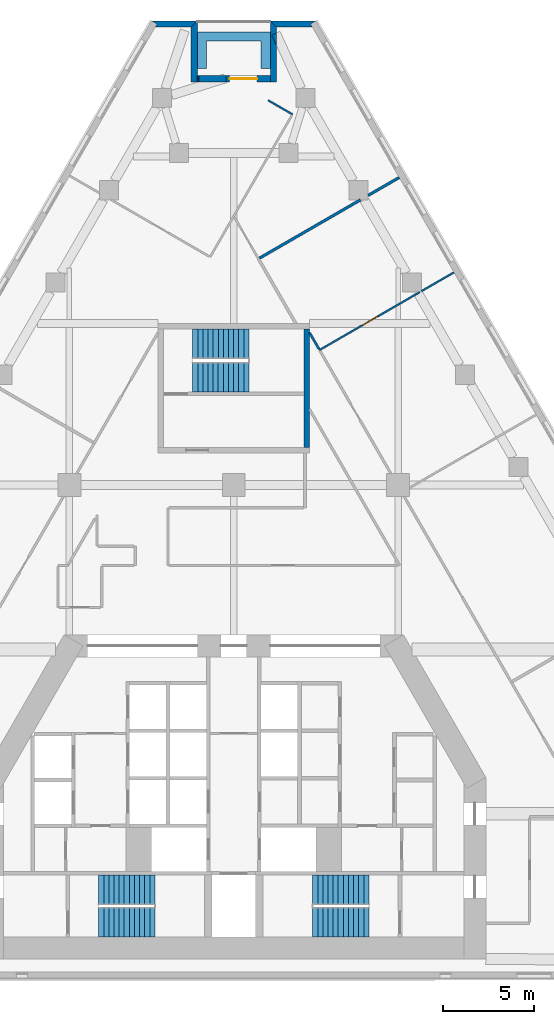
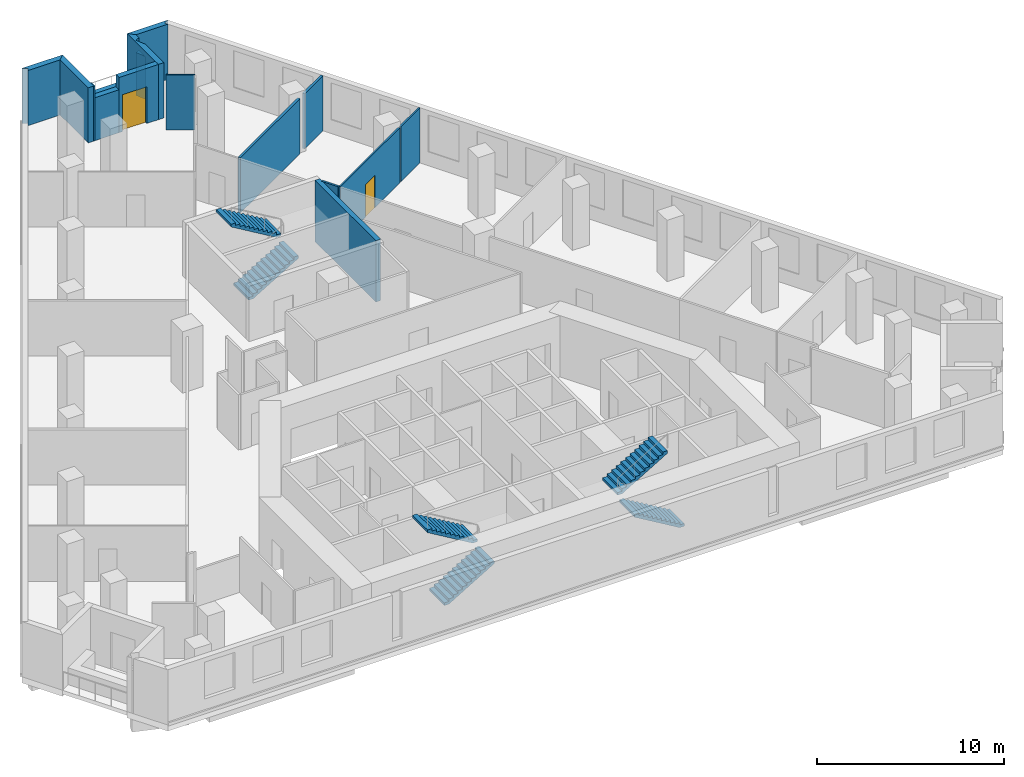
# One storey, part 9 of 10: 16 walls, 6 stair flights, 2 doors, 2 openings, 3 elements without a shape of their own.
"""IFC4 building model written with IfcOpenShell, lengths in metres."""

from ifc_helpers import new_model, si_unit, direction, frame, frame_2d, origin, place, context, subcontext, project, spatial, polyline, rectangle, outline, extrude, material, layer, layer_set, type_object, element, fill, aggregate, save


model = new_model("IFC4")

# Units and contexts
model_context = context("Model", 3, precision=1e-05, world=origin(), true_north=direction((0.0, 1.0)))
body_context = subcontext(model_context, "Body", "Model", "MODEL_VIEW")
ifc_project = project(units=[si_unit("LENGTHUNIT", "METRE"), si_unit("AREAUNIT", "SQUARE_METRE"), si_unit("VOLUMEUNIT", "CUBIC_METRE"), si_unit("PLANEANGLEUNIT", "RADIAN"), si_unit("MASSUNIT", "GRAM", prefix="KILO")], contexts=[model_context])

# Site, building, storey
site_placement = place(None, origin())
site = spatial("IfcSite", under=ifc_project, at=site_placement, CompositionType="ELEMENT")
building_placement = place(site_placement, origin())
building = spatial("IfcBuilding", under=site, at=building_placement, Name="Fogline Exchange Tower", CompositionType="ELEMENT")
storey_placement = place(building_placement, frame((0.0, 0.0, 108.10009765625)))
storey = spatial("IfcBuildingStorey", under=building, at=storey_placement, Name="L23", CompositionType="ELEMENT", Elevation=108.10009765625)

# Walls
ifc_material_1 = material(Name="Concrete C40", Category="concrete")
ifc_layer_1 = layer(ifc_material_1, 0.300048828125)
ifc_layer_set_1 = layer_set([ifc_layer_1], Name="CW30")
wall_type_1 = type_object("IfcWallType", Name="CW30", PredefinedType="SOLIDWALL", material=ifc_layer_set_1)
wall_1_placement = place(storey_placement, frame((4.0, 29.056884765625, -0.400146484375), z_axis=(0.0, 0.0, 1.0), x_axis=(0.0, 1.0, 0.0)))
element("IfcWall", 1, at=wall_1_placement, inside=storey, type_object=wall_type_1, Name="Stair enclosure wall ST3", PredefinedType="SOLIDWALL", context=body_context, shape_type="SweptSolid", body=[
    extrude(rectangle(XDim=6.5, YDim=0.300048828125, at=frame_2d((3.25, 0.0))), origin(), (0.0, 0.0, 1.0), 4.0),
])
ifc_material_2 = material(Name="Brick masonry", Category="masonry")
ifc_layer_2 = layer(ifc_material_2, 0.340087890625)
ifc_layer_set_2 = layer_set([ifc_layer_2], Name="FW1")
wall_type_2 = type_object("IfcWallType", Name="FW1", PredefinedType="SOLIDWALL", material=ifc_layer_set_2)
wall_2_placement = place(storey_placement, origin())
element("IfcWall", 2, at=wall_2_placement, inside=storey, type_object=wall_type_2, Name="Brick wall L23 N-c1", PredefinedType="SOLIDWALL", context=body_context, shape_type="SweptSolid", body=[
    extrude(outline(polyline([(1.9990234375, 52.42236328125), (4.5009765625, 52.42236328125), (4.501220703125, 52.421630859375), (4.206298828125, 52.25146484375), (4.3046875, 52.0810546875), (2.33984375, 52.0810546875), (1.998779296875, 52.421875), (1.9990234375, 52.42236328125)])), origin(), (0.0, 0.0, 1.0), 3.599853515625),
])
wall_3_placement = place(storey_placement, origin())
element("IfcWall", 3, at=wall_3_placement, inside=storey, type_object=wall_type_2, Name="Brick wall L23 N-s1", PredefinedType="SOLIDWALL", context=body_context, shape_type="SweptSolid", body=[
    extrude(outline(polyline([(2.340576171875, 51.06884765625), (2.079345703125, 51.642578125), (2.340576171875, 51.761474609375), (2.340576171875, 51.06884765625)])), origin(), (0.0, 0.0, 1.0), 2.7998046875),
])
wall_4_placement = place(storey_placement, origin())
element("IfcWall", 4, at=wall_4_placement, inside=storey, type_object=wall_type_2, Name="Brick wall L23 N-s1", PredefinedType="SOLIDWALL", context=body_context, shape_type="SweptSolid", body=[
    extrude(outline(polyline([(1.99951171875, 49.0810546875), (1.99951171875, 52.422607421875), (1.999755859375, 52.4228515625), (2.340576171875, 52.081787109375), (2.340576171875, 51.761474609375), (2.079345703125, 51.642578125), (2.340576171875, 51.06884765625), (2.340576171875, 49.0810546875), (1.99951171875, 49.0810546875)])), origin(), (0.0, 0.0, 1.0), 3.599853515625),
])

# Wall, opening, door
wall_5_placement = place(storey_placement, frame((2.0, 49.251708984375, 0.0), z_axis=(0.0, 0.0, 1.0), x_axis=(-1.0, 0.0, 0.0)))
wall_5 = element("IfcWall", 5, at=wall_5_placement, inside=storey, type_object=wall_type_2, Name="Brick wall L23 N-bk", PredefinedType="SOLIDWALL", context=body_context, shape_type="SweptSolid", body=[
    extrude(rectangle(XDim=2.421142578125, YDim=0.340087890625, at=frame_2d((1.21044921875, 0.0))), origin(), (0.0, 0.0, 1.0), 3.599853515625),
])
opening_1_placement = place(wall_5_placement, frame((0.72119140625, 0.0, 0.0)))
opening_1 = element("IfcOpeningElement", 6, at=opening_1_placement, cuts=wall_5, Name="Opening T07-E141", PredefinedType="OPENING", context=body_context, shape_type="SweptSolid", body=[
    extrude(rectangle(XDim=1.5, YDim=2.39990234375, at=frame_2d((0.75, 1.199951171875))), frame((0.0, 0.18017578125, 0.0), z_axis=(0.0, -1.0, 0.0), x_axis=(1.0, 0.0, 0.0)), (0.0, 0.0, 1.0), 0.360107421875),
])
ifc_material_3 = material(Name="Aluminium and glass", Category="aluminium")
door_type_1 = type_object("IfcDoorType", Name="ED4", OperationType="SINGLE_SWING_LEFT", PredefinedType="DOOR", material=ifc_material_3)
door_1_placement = place(opening_1_placement, frame((1.5, 0.0, 0.0), z_axis=(0.0, 0.0, 1.0), x_axis=(-1.0, 0.0, 0.0)))
door_1 = element("IfcDoor", 7, at=door_1_placement, inside=storey, type_object=door_type_1, Name="Balcony door L23 N", OperationType="DOUBLE_DOOR_SINGLE_SWING", OverallHeight=2.39990234375, OverallWidth=1.5, PredefinedType="DOOR", context=body_context, shape_type="SweptSolid", body=[
    extrude(rectangle(XDim=1.5, YDim=2.39990234375, at=frame_2d((0.75, 1.199951171875))), frame((0.0, 0.02490234375, 0.0), z_axis=(0.0, -1.0, 0.0), x_axis=(1.0, 0.0, 0.0)), (0.0, 0.0, 1.0), 0.050048828125),
])
fill(opening_1, door_1)

# Walls
wall_6_placement = place(storey_placement, frame((-0.421142578125, 49.251708984375, 0.0), z_axis=(0.0, 0.0, 1.0), x_axis=(-1.0, 0.0, 0.0)))
element("IfcWall", 8, at=wall_6_placement, inside=storey, type_object=wall_type_2, Name="Brick wall L23 N-bk", PredefinedType="SOLIDWALL", context=body_context, shape_type="SweptSolid", body=[
    extrude(rectangle(XDim=1.50830078125, YDim=0.340087890625, at=frame_2d((0.754150390625, 0.0))), origin(), (0.0, 0.0, 1.0), 2.7998046875),
])
wall_7_placement = place(storey_placement, frame((-1.929443359375, 49.251708984375, 0.0), z_axis=(0.0, 0.0, 1.0), x_axis=(-1.0, 0.0, 0.0)))
element("IfcWall", 9, at=wall_7_placement, inside=storey, type_object=wall_type_2, Name="Brick wall L23 N-bk", PredefinedType="SOLIDWALL", context=body_context, shape_type="SweptSolid", body=[
    extrude(rectangle(XDim=0.070556640625, YDim=0.340087890625, at=frame_2d((0.03515625, 0.0))), origin(), (0.0, 0.0, 1.0), 3.599853515625),
])
wall_8_placement = place(storey_placement, origin())
element("IfcWall", 10, at=wall_8_placement, inside=storey, type_object=wall_type_2, Name="Brick wall L23 N-s2", PredefinedType="SOLIDWALL", context=body_context, shape_type="SweptSolid", body=[
    extrude(outline(polyline([(-1.99951171875, 52.422607421875), (-1.99951171875, 49.0810546875), (-2.340576171875, 49.0810546875), (-2.340576171875, 52.081787109375), (-1.999755859375, 52.4228515625), (-1.99951171875, 52.422607421875)])), origin(), (0.0, 0.0, 1.0), 3.599853515625),
])
wall_9_placement = place(storey_placement, origin())
element("IfcWall", 11, at=wall_9_placement, inside=storey, type_object=wall_type_2, Name="Brick wall L23 N-c2", PredefinedType="SOLIDWALL", context=body_context, shape_type="SweptSolid", body=[
    extrude(outline(polyline([(-4.3046875, 52.0810546875), (-4.206298828125, 52.25146484375), (-4.501220703125, 52.421630859375), (-4.5009765625, 52.42236328125), (-1.9990234375, 52.42236328125), (-1.998779296875, 52.421875), (-2.33984375, 52.0810546875), (-4.3046875, 52.0810546875)])), origin(), (0.0, 0.0, 1.0), 3.599853515625),
])
ifc_material_4 = material(Name="Concrete C30", Category="concrete")
ifc_layer_3 = layer(ifc_material_4, 0.199951171875)
ifc_layer_set_3 = layer_set([ifc_layer_3], Name="PL1")
wall_type_3 = type_object("IfcWallType", Name="PL1", PredefinedType="USERDEFINED", material=ifc_layer_set_3)
wall_10_placement = place(storey_placement, origin())
element("IfcWall", 12, at=wall_10_placement, inside=storey, type_object=wall_type_3, Name="PLANTER balcony L23 N", ObjectType="PLANTER", PredefinedType="USERDEFINED", context=body_context, shape_type="SweptSolid", body=[
    extrude(outline(polyline([(-1.5, 51.82177734375), (-2.0, 51.82177734375), (-2.0, 51.32177734375), (-2.0, 49.82177734375), (-1.5, 49.82177734375), (-1.5, 51.32177734375), (1.5, 51.32177734375), (1.5, 49.82177734375), (2.0, 49.82177734375), (2.0, 51.32177734375), (2.0, 51.82177734375), (1.5, 51.82177734375), (-1.5, 51.82177734375)])), origin(), (0.0, 0.0, 1.0), 1.099853515625),
])

# Wall, opening, door
ifc_material_5 = material(Name="Plasterboard partition, 2 layers each side on steel studs", Category="steel")
ifc_layer_4 = layer(ifc_material_5, 0.10009765625)
ifc_layer_set_4 = layer_set([ifc_layer_4], Name="PW1")
wall_type_4 = type_object("IfcWallType", Name="PW1", PredefinedType="PARTITIONING", material=ifc_layer_set_4)
wall_11_placement = place(storey_placement, frame((4.697265625, 34.39990234375, 0.0), z_axis=(0.0, 0.0, 1.0), x_axis=(0.866029176715, 0.499993465035, 0.0)))
wall_11 = element("IfcWall", 13, at=wall_11_placement, inside=storey, type_object=wall_type_4, Name="wall-L23-W035", PredefinedType="PARTITIONING", context=body_context, shape_type="SweptSolid", body=[
    extrude(rectangle(XDim=6.34228515625, YDim=0.10009765625, at=frame_2d((3.171142578125, 0.0))), origin(), (0.0, 0.0, 1.0), 3.599853515625),
])
opening_2_placement = place(wall_11_placement, frame((2.671142578125, 0.0, 0.0)))
opening_2 = element("IfcOpeningElement", 14, at=opening_2_placement, cuts=wall_11, Name="Opening T07-D014", PredefinedType="OPENING", context=body_context, shape_type="SweptSolid", body=[
    extrude(rectangle(XDim=1.0, YDim=2.10009765625, at=frame_2d((0.5, 1.050048828125))), frame((0.0, 0.06005859375, 0.0), z_axis=(0.0, -1.0, 0.0), x_axis=(1.0, 0.0, 0.0)), (0.0, 0.0, 1.0), 0.1201171875),
])
ifc_material_6 = material(Name="Timber door leaf with steel frame", Category="steel")
door_type_2 = type_object("IfcDoorType", Name="D1", OperationType="SINGLE_SWING_LEFT", PredefinedType="DOOR", material=ifc_material_6)
door_2_placement = place(opening_2_placement, origin())
door_2 = element("IfcDoor", 15, at=door_2_placement, inside=storey, type_object=door_type_2, Name="door-L23-D014", OperationType="SINGLE_SWING_LEFT", OverallHeight=2.10009765625, OverallWidth=1.0, PredefinedType="DOOR", context=body_context, shape_type="SweptSolid", body=[
    extrude(rectangle(XDim=1.0, YDim=2.10009765625, at=frame_2d((0.5, 1.050048828125))), frame((0.0, 0.02490234375, 0.0), z_axis=(0.0, -1.0, 0.0), x_axis=(1.0, 0.0, 0.0)), (0.0, 0.0, 1.0), 0.050048828125),
])
fill(opening_2, door_2)

# Walls
wall_12_placement = place(storey_placement, frame((10.279296875, 37.62255859375, 0.0), z_axis=(0.0, 0.0, 1.0), x_axis=(0.866011447264, 0.500024172624, 0.0)))
element("IfcWall", 16, at=wall_12_placement, inside=storey, type_object=wall_type_4, Name="wall-L23-W036", PredefinedType="PARTITIONING", context=body_context, shape_type="SweptSolid", body=[
    extrude(rectangle(XDim=2.0546875, YDim=0.10009765625, at=frame_2d((1.02734375, 0.0))), origin(), (0.0, 0.0, 1.0), 3.599853515625),
])
wall_13_placement = place(storey_placement, frame((3.215087890625, 47.30419921875, 0.0), z_axis=(0.0, 0.0, 1.0), x_axis=(-0.865977637699, 0.500082724161, 0.0)))
element("IfcWall", 17, at=wall_13_placement, inside=storey, type_object=wall_type_4, Name="wall-L23-W041", PredefinedType="PARTITIONING", context=body_context, shape_type="SweptSolid", body=[
    extrude(rectangle(XDim=1.544677734375, YDim=0.10009765625, at=frame_2d((0.7724609375, 0.0))), origin(), (0.0, 0.0, 1.0), 3.599853515625),
])
ifc_material_7 = material(Name="Plasterboard corridor partition with mineral wool, 2 layers each side")
ifc_layer_5 = layer(ifc_material_7, 0.125)
ifc_layer_set_5 = layer_set([ifc_layer_5], Name="PW2")
wall_type_5 = type_object("IfcWallType", Name="PW2", PredefinedType="PARTITIONING", material=ifc_layer_set_5)
wall_14_placement = place(storey_placement, frame((4.14990234375, 35.347900390625, 0.0), z_axis=(0.0, 0.0, 1.0), x_axis=(0.500086724125, -0.865975327797, 0.0)))
element("IfcWall", 18, at=wall_14_placement, inside=storey, type_object=wall_type_5, Name="wall-L23-W024", PredefinedType="PARTITIONING", context=body_context, shape_type="SweptSolid", body=[
    extrude(rectangle(XDim=1.044189453125, YDim=0.125, at=frame_2d((0.52197265625, 0.0))), origin(), (0.0, 0.0, 1.0), 3.599853515625),
])
ifc_material_8 = material(Name="Plasterboard demising partition with mineral wool and acoustic board")
ifc_layer_6 = layer(ifc_material_8, 0.14990234375)
ifc_layer_set_6 = layer_set([ifc_layer_6], Name="PW3")
wall_type_6 = type_object("IfcWallType", Name="PW3", PredefinedType="PARTITIONING", material=ifc_layer_set_6)
wall_15_placement = place(storey_placement, frame((1.416015625, 39.43359375, 0.0), z_axis=(0.0, 0.0, 1.0), x_axis=(0.866021695028, 0.5000064237, 0.0)))
element("IfcWall", 19, at=wall_15_placement, inside=storey, type_object=wall_type_6, Name="wall-L23-W037", PredefinedType="PARTITIONING", context=body_context, shape_type="SweptSolid", body=[
    extrude(rectangle(XDim=6.37548828125, YDim=0.14990234375, at=frame_2d((3.187744140625, 0.0))), origin(), (0.0, 0.0, 1.0), 3.599853515625),
])
wall_16_placement = place(storey_placement, frame((7.36328125, 42.867431640625, 0.0), z_axis=(0.0, 0.0, 1.0), x_axis=(0.866085900082, 0.499895202697, 0.0)))
element("IfcWall", 20, at=wall_16_placement, inside=storey, type_object=wall_type_6, Name="wall-L23-W038", PredefinedType="PARTITIONING", context=body_context, shape_type="SweptSolid", body=[
    extrude(rectangle(XDim=1.95751953125, YDim=0.14990234375, at=frame_2d((0.978759765625, 0.0))), origin(), (0.0, 0.0, 1.0), 3.599853515625),
])

# Stair, stair flights
stair_type = type_object("IfcStairType", Name="STR24-1667", PredefinedType="HALF_TURN_STAIR", material=ifc_material_1)
stair_1_placement = place(storey_placement, origin())
stair_1 = element("IfcStair", 21, at=stair_1_placement, inside=storey, type_object=stair_type, Name="Stair ST1", PredefinedType="HALF_TURN_STAIR")
stair_flight_type = type_object("IfcStairFlightType", Name="SF12-1667", PredefinedType="STRAIGHT", material=ifc_material_1)
stair_flight_1_placement = place(storey_placement, frame((-7.39990234375, 3.050048828125, 0.0), z_axis=(0.0, 0.0, 1.0), x_axis=(1.0, 0.0, 0.0)))
stair_flight_1 = element("IfcStairFlight", 22, at=stair_flight_1_placement, type_object=stair_flight_type, Name="ST1 flight 1", NumberOfRisers=12, NumberOfTreads=11, PredefinedType="STRAIGHT", RiserHeight=0.166666667, TreadLength=0.28, context=body_context, shape_type="SweptSolid", body=[
    extrude(outline(polyline([(0.0, 0.0), (0.0, 0.166748046875), (0.280029296875, 0.166748046875), (0.280029296875, 0.333251953125), (0.56005859375, 0.333251953125), (0.56005859375, 0.5), (0.840087890625, 0.5), (0.840087890625, 0.666748046875), (1.1201171875, 0.666748046875), (1.1201171875, 0.833251953125), (1.39990234375, 0.833251953125), (1.39990234375, 1.0), (1.679931640625, 1.0), (1.679931640625, 1.166748046875), (1.9599609375, 1.166748046875), (1.9599609375, 1.333251953125), (2.239990234375, 1.333251953125), (2.239990234375, 1.5), (2.52001953125, 1.5), (2.52001953125, 1.666748046875), (2.800048828125, 1.666748046875), (2.800048828125, 1.833251953125), (3.080078125, 1.833251953125), (3.080078125, 2.0), (3.080078125, 1.658935546875), (0.29296875, 0.0), (0.0, 0.0)])), frame((0.0, 0.800048828125, 0.0), z_axis=(0.0, -1.0, 0.0), x_axis=(1.0, 0.0, 0.0)), (0.0, 0.0, 1.0), 1.60009765625),
])
stair_flight_2_placement = place(storey_placement, frame((-4.320068359375, 4.85009765625, 2.0), z_axis=(0.0, 0.0, 1.0), x_axis=(-1.0, 0.0, 0.0)))
stair_flight_2 = element("IfcStairFlight", 23, at=stair_flight_2_placement, type_object=stair_flight_type, Name="ST1 flight 2", NumberOfRisers=12, NumberOfTreads=11, PredefinedType="STRAIGHT", RiserHeight=0.166666667, TreadLength=0.28, context=body_context, shape_type="SweptSolid", body=[
    extrude(outline(polyline([(0.0, 0.0), (0.0, 0.166748046875), (0.280029296875, 0.166748046875), (0.280029296875, 0.333251953125), (0.56005859375, 0.333251953125), (0.56005859375, 0.5), (0.840087890625, 0.5), (0.840087890625, 0.666748046875), (1.1201171875, 0.666748046875), (1.1201171875, 0.833251953125), (1.39990234375, 0.833251953125), (1.39990234375, 1.0), (1.679931640625, 1.0), (1.679931640625, 1.166748046875), (1.9599609375, 1.166748046875), (1.9599609375, 1.333251953125), (2.239990234375, 1.333251953125), (2.239990234375, 1.5), (2.52001953125, 1.5), (2.52001953125, 1.666748046875), (2.800048828125, 1.666748046875), (2.800048828125, 1.833251953125), (3.080078125, 1.833251953125), (3.080078125, 2.0), (3.080078125, 1.658935546875), (0.29296875, 0.0), (0.0, 0.0)])), frame((0.0, 0.800048828125, 0.0), z_axis=(0.0, -1.0, 0.0), x_axis=(1.0, 0.0, 0.0)), (0.0, 0.0, 1.0), 1.60009765625),
])
aggregate(stair_1, [stair_flight_1, stair_flight_2])

stair_2_placement = place(storey_placement, origin())
stair_2 = element("IfcStair", 24, at=stair_2_placement, inside=storey, type_object=stair_type, Name="Stair ST2", PredefinedType="HALF_TURN_STAIR")
stair_flight_3_placement = place(storey_placement, frame((7.39990234375, 3.050048828125, 0.0), z_axis=(0.0, 0.0, 1.0), x_axis=(-1.0, 0.0, 0.0)))
stair_flight_3 = element("IfcStairFlight", 25, at=stair_flight_3_placement, type_object=stair_flight_type, Name="ST2 flight 1", NumberOfRisers=12, NumberOfTreads=11, PredefinedType="STRAIGHT", RiserHeight=0.166666667, TreadLength=0.28, context=body_context, shape_type="SweptSolid", body=[
    extrude(outline(polyline([(0.0, 0.0), (0.0, 0.166748046875), (0.280029296875, 0.166748046875), (0.280029296875, 0.333251953125), (0.56005859375, 0.333251953125), (0.56005859375, 0.5), (0.840087890625, 0.5), (0.840087890625, 0.666748046875), (1.1201171875, 0.666748046875), (1.1201171875, 0.833251953125), (1.39990234375, 0.833251953125), (1.39990234375, 1.0), (1.679931640625, 1.0), (1.679931640625, 1.166748046875), (1.9599609375, 1.166748046875), (1.9599609375, 1.333251953125), (2.239990234375, 1.333251953125), (2.239990234375, 1.5), (2.52001953125, 1.5), (2.52001953125, 1.666748046875), (2.800048828125, 1.666748046875), (2.800048828125, 1.833251953125), (3.080078125, 1.833251953125), (3.080078125, 2.0), (3.080078125, 1.658935546875), (0.29296875, 0.0), (0.0, 0.0)])), frame((0.0, 0.800048828125, 0.0), z_axis=(0.0, -1.0, 0.0), x_axis=(1.0, 0.0, 0.0)), (0.0, 0.0, 1.0), 1.60009765625),
])
stair_flight_4_placement = place(storey_placement, frame((4.320068359375, 4.85009765625, 2.0), z_axis=(0.0, 0.0, 1.0), x_axis=(1.0, 0.0, 0.0)))
stair_flight_4 = element("IfcStairFlight", 26, at=stair_flight_4_placement, type_object=stair_flight_type, Name="ST2 flight 2", NumberOfRisers=12, NumberOfTreads=11, PredefinedType="STRAIGHT", RiserHeight=0.166666667, TreadLength=0.28, context=body_context, shape_type="SweptSolid", body=[
    extrude(outline(polyline([(0.0, 0.0), (0.0, 0.166748046875), (0.280029296875, 0.166748046875), (0.280029296875, 0.333251953125), (0.56005859375, 0.333251953125), (0.56005859375, 0.5), (0.840087890625, 0.5), (0.840087890625, 0.666748046875), (1.1201171875, 0.666748046875), (1.1201171875, 0.833251953125), (1.39990234375, 0.833251953125), (1.39990234375, 1.0), (1.679931640625, 1.0), (1.679931640625, 1.166748046875), (1.9599609375, 1.166748046875), (1.9599609375, 1.333251953125), (2.239990234375, 1.333251953125), (2.239990234375, 1.5), (2.52001953125, 1.5), (2.52001953125, 1.666748046875), (2.800048828125, 1.666748046875), (2.800048828125, 1.833251953125), (3.080078125, 1.833251953125), (3.080078125, 2.0), (3.080078125, 1.658935546875), (0.29296875, 0.0), (0.0, 0.0)])), frame((0.0, 0.800048828125, 0.0), z_axis=(0.0, -1.0, 0.0), x_axis=(1.0, 0.0, 0.0)), (0.0, 0.0, 1.0), 1.60009765625),
])
aggregate(stair_2, [stair_flight_3, stair_flight_4])

stair_3_placement = place(storey_placement, origin())
stair_3 = element("IfcStair", 27, at=stair_3_placement, inside=storey, type_object=stair_type, Name="Stair ST3", PredefinedType="HALF_TURN_STAIR")
stair_flight_5_placement = place(storey_placement, frame((-2.25, 32.906982421875, 0.0), z_axis=(0.0, 0.0, 1.0), x_axis=(1.0, 0.0, 0.0)))
stair_flight_5 = element("IfcStairFlight", 28, at=stair_flight_5_placement, type_object=stair_flight_type, Name="ST3 flight 1", NumberOfRisers=12, NumberOfTreads=11, PredefinedType="STRAIGHT", RiserHeight=0.166666667, TreadLength=0.28, context=body_context, shape_type="SweptSolid", body=[
    extrude(outline(polyline([(0.0, 0.0), (0.0, 0.166748046875), (0.280029296875, 0.166748046875), (0.280029296875, 0.333251953125), (0.56005859375, 0.333251953125), (0.56005859375, 0.5), (0.840087890625, 0.5), (0.840087890625, 0.666748046875), (1.1201171875, 0.666748046875), (1.1201171875, 0.833251953125), (1.39990234375, 0.833251953125), (1.39990234375, 1.0), (1.679931640625, 1.0), (1.679931640625, 1.166748046875), (1.9599609375, 1.166748046875), (1.9599609375, 1.333251953125), (2.239990234375, 1.333251953125), (2.239990234375, 1.5), (2.52001953125, 1.5), (2.52001953125, 1.666748046875), (2.800048828125, 1.666748046875), (2.800048828125, 1.833251953125), (3.080078125, 1.833251953125), (3.080078125, 2.0), (3.080078125, 1.658935546875), (0.29296875, 0.0), (0.0, 0.0)])), frame((0.0, 0.800048828125, 0.0), z_axis=(0.0, -1.0, 0.0), x_axis=(1.0, 0.0, 0.0)), (0.0, 0.0, 1.0), 1.60009765625),
])
stair_flight_6_placement = place(storey_placement, frame((0.830078125, 34.757080078125, 2.0), z_axis=(0.0, 0.0, 1.0), x_axis=(-1.0, 0.0, 0.0)))
stair_flight_6 = element("IfcStairFlight", 29, at=stair_flight_6_placement, type_object=stair_flight_type, Name="ST3 flight 2", NumberOfRisers=12, NumberOfTreads=11, PredefinedType="STRAIGHT", RiserHeight=0.166666667, TreadLength=0.28, context=body_context, shape_type="SweptSolid", body=[
    extrude(outline(polyline([(0.0, 0.0), (0.0, 0.166748046875), (0.280029296875, 0.166748046875), (0.280029296875, 0.333251953125), (0.56005859375, 0.333251953125), (0.56005859375, 0.5), (0.840087890625, 0.5), (0.840087890625, 0.666748046875), (1.1201171875, 0.666748046875), (1.1201171875, 0.833251953125), (1.39990234375, 0.833251953125), (1.39990234375, 1.0), (1.679931640625, 1.0), (1.679931640625, 1.166748046875), (1.9599609375, 1.166748046875), (1.9599609375, 1.333251953125), (2.239990234375, 1.333251953125), (2.239990234375, 1.5), (2.52001953125, 1.5), (2.52001953125, 1.666748046875), (2.800048828125, 1.666748046875), (2.800048828125, 1.833251953125), (3.080078125, 1.833251953125), (3.080078125, 2.0), (3.080078125, 1.658935546875), (0.29296875, 0.0), (0.0, 0.0)])), frame((0.0, 0.800048828125, 0.0), z_axis=(0.0, -1.0, 0.0), x_axis=(1.0, 0.0, 0.0)), (0.0, 0.0, 1.0), 1.60009765625),
])
aggregate(stair_3, [stair_flight_5, stair_flight_6])

save(model, "model.ifc")
